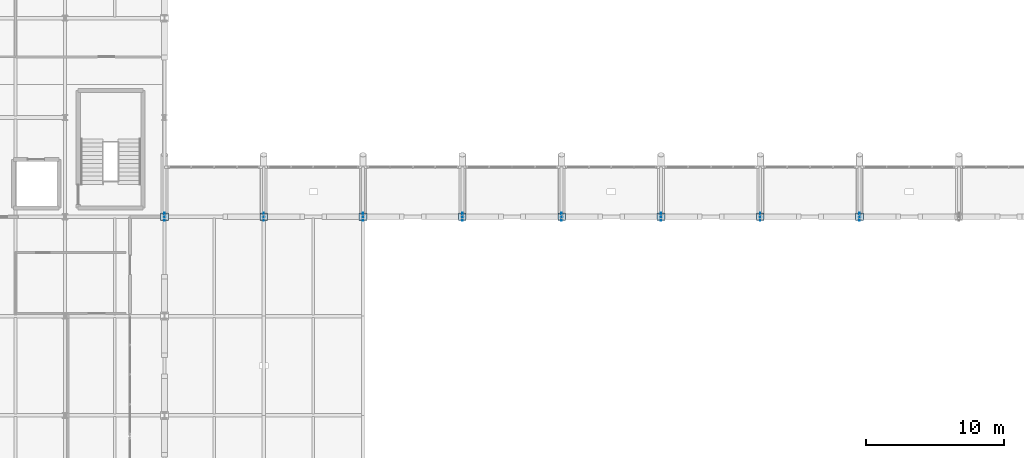
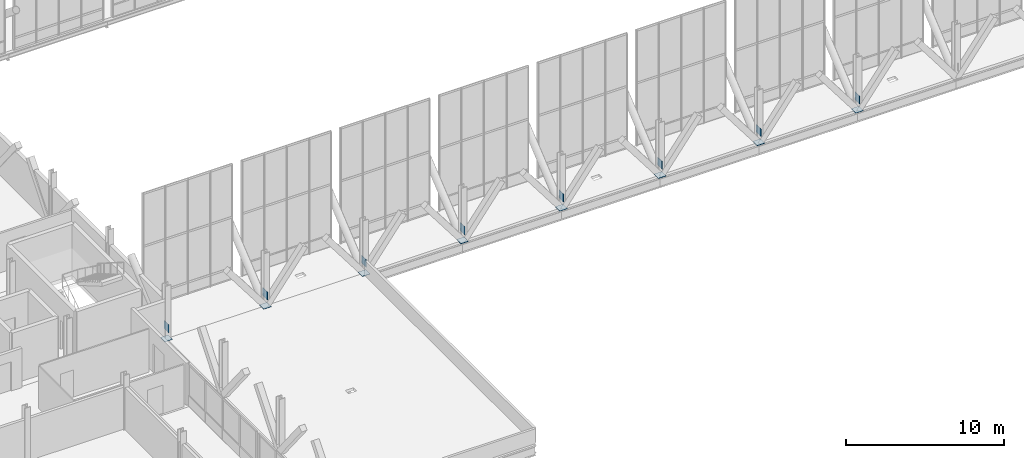
# One storey, part 85 of 102: 16 plates.
"""IFC4 building model written with IfcOpenShell, lengths in metres."""

from ifc_helpers import new_model, si_unit, direction, frame, origin, origin_2d, place, context, subcontext, project, spatial, rectangle, extrude, material, layer, layer_set, type_object, element, save


model = new_model("IFC4")

# Units and contexts
model_context = context("Model", 3, precision=1e-05, world=origin(), true_north=direction((0.0, 1.0)))
body_context = subcontext(model_context, "Body", "Model", "MODEL_VIEW")
ifc_project = project(units=[si_unit("LENGTHUNIT", "METRE"), si_unit("AREAUNIT", "SQUARE_METRE"), si_unit("VOLUMEUNIT", "CUBIC_METRE"), si_unit("PLANEANGLEUNIT", "RADIAN"), si_unit("MASSUNIT", "GRAM", prefix="KILO")], contexts=[model_context])

# Site, building, storey
site_placement = place(None, origin())
site = spatial("IfcSite", under=ifc_project, at=site_placement, CompositionType="ELEMENT")
building_placement = place(site_placement, origin())
building = spatial("IfcBuilding", under=site, at=building_placement, Name="Yarey Park Central Fire Station", CompositionType="ELEMENT")
storey_placement = place(building_placement, frame((0.0, 0.0, 6.0)))
storey = spatial("IfcBuildingStorey", under=building, at=storey_placement, Name="L02", CompositionType="ELEMENT", Elevation=6.0)

# Plates
ifc_material = material(Name="Steel ASTM A572 Gr. 50", Category="steel")
ifc_layer_1 = layer(ifc_material, 0.02001953125)
ifc_layer_set_1 = layer_set([ifc_layer_1], Name="Steel ASTM A572 Gr. 50")
plate_type_1 = type_object("IfcPlateType", Name="STR_PLT_CAP1", PredefinedType="USERDEFINED", material=ifc_layer_set_1)
for number, where, z_axis, x_axis, name in (
    (1, (57.60009765625, 57.60009765625, -0.010009765625), (0.0, 0.0, 1.0), (1.0, 0.0, 0.0), "CAP_PLT_ART_044"),
    (2, (64.800048828125, 57.60009765625, -0.010009765625), (0.0, 0.0, 1.0), (1.0, 0.0, 0.0), "CAP_PLT_ART_049"),
    (3, (72.0, 57.60009765625, -0.010009765625), (0.0, 0.0, 1.0), (1.0, 0.0, 0.0), "CAP_PLT_ART_054"),
    (4, (79.199951171875, 57.60009765625, -0.010009765625), (0.0, 0.0, 1.0), (1.0, 0.0, 0.0), "CAP_PLT_ART_059"),
    (5, (86.39990234375, 57.60009765625, -0.010009765625), (0.0, 0.0, 1.0), (1.0, 0.0, 0.0), "CAP_PLT_ART_064"),
    (6, (93.60009765625, 57.60009765625, -0.010009765625), (0.0, 0.0, 1.0), (1.0, 0.0, 0.0), "CAP_PLT_ART_069"),
    (7, (100.800048828125, 57.60009765625, -0.010009765625), (0.0, 0.0, 1.0), (1.0, 0.0, 0.0), "CAP_PLT_ART_074"),
    (8, (108.0, 57.60009765625, -0.010009765625), (0.0, 0.0, 1.0), (1.0, 0.0, 0.0), "CAP_PLT_ART_079"),
):
    element("IfcPlate", number, at=place(storey_placement, frame(where, z_axis=z_axis, x_axis=x_axis)), inside=storey, type_object=plate_type_1, Name=name, ObjectType="GUSSET_PLATE", PredefinedType="USERDEFINED", context=body_context, shape_type="SweptSolid", body=[
        extrude(rectangle(XDim=0.56005859375, YDim=0.56005859375, at=origin_2d()), origin(), (0.0, 0.0, 1.0), 0.02001953125),
    ])
ifc_layer_2 = layer(ifc_material, 0.030029296875)
ifc_layer_set_2 = layer_set([ifc_layer_2], Name="Steel ASTM A572 Gr. 50")
plate_type_2 = type_object("IfcPlateType", Name="STR_PLT_NODE1", PredefinedType="USERDEFINED", material=ifc_layer_set_2)
for number, where, z_axis, x_axis, name in (
    (9, (57.60009765625, 57.60009765625, 0.619873046875), (0.0, 0.0, 1.0), (1.0, 0.0, 0.0), "NODE_PLT_ART_043"),
    (10, (64.800048828125, 57.60009765625, 0.619873046875), (0.0, 0.0, 1.0), (1.0, 0.0, 0.0), "NODE_PLT_ART_048"),
    (11, (72.0, 57.60009765625, 0.619873046875), (0.0, 0.0, 1.0), (1.0, 0.0, 0.0), "NODE_PLT_ART_053"),
    (12, (79.199951171875, 57.60009765625, 0.619873046875), (0.0, 0.0, 1.0), (1.0, 0.0, 0.0), "NODE_PLT_ART_058"),
    (13, (86.39990234375, 57.60009765625, 0.619873046875), (0.0, 0.0, 1.0), (1.0, 0.0, 0.0), "NODE_PLT_ART_063"),
    (14, (93.60009765625, 57.60009765625, 0.619873046875), (0.0, 0.0, 1.0), (1.0, 0.0, 0.0), "NODE_PLT_ART_068"),
    (15, (100.800048828125, 57.60009765625, 0.619873046875), (0.0, 0.0, 1.0), (1.0, 0.0, 0.0), "NODE_PLT_ART_073"),
    (16, (108.0, 57.60009765625, 0.619873046875), (0.0, 0.0, 1.0), (1.0, 0.0, 0.0), "NODE_PLT_ART_078"),
):
    element("IfcPlate", number, at=place(storey_placement, frame(where, z_axis=z_axis, x_axis=x_axis)), inside=storey, type_object=plate_type_2, Name=name, ObjectType="GUSSET_PLATE", PredefinedType="USERDEFINED", context=body_context, shape_type="SweptSolid", body=[
        extrude(rectangle(XDim=0.030029296875, YDim=0.60009765625, at=origin_2d()), origin(), (0.0, 0.0, 1.0), 0.60009765625),
    ])

save(model, "model.ifc")
